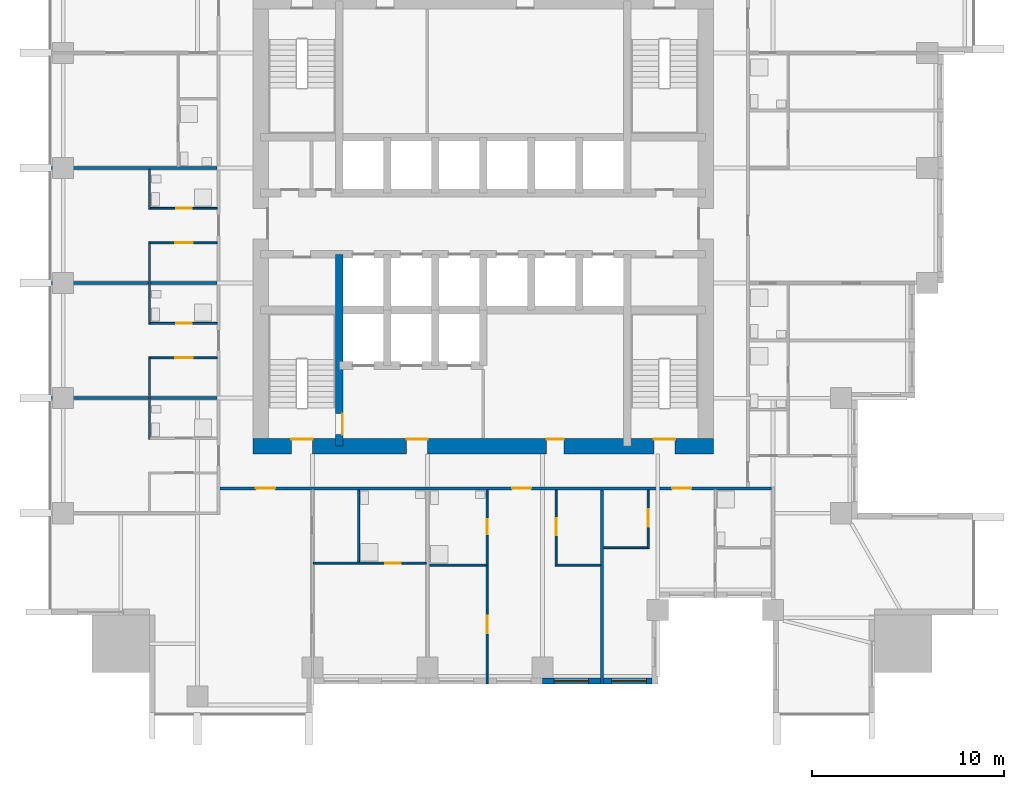
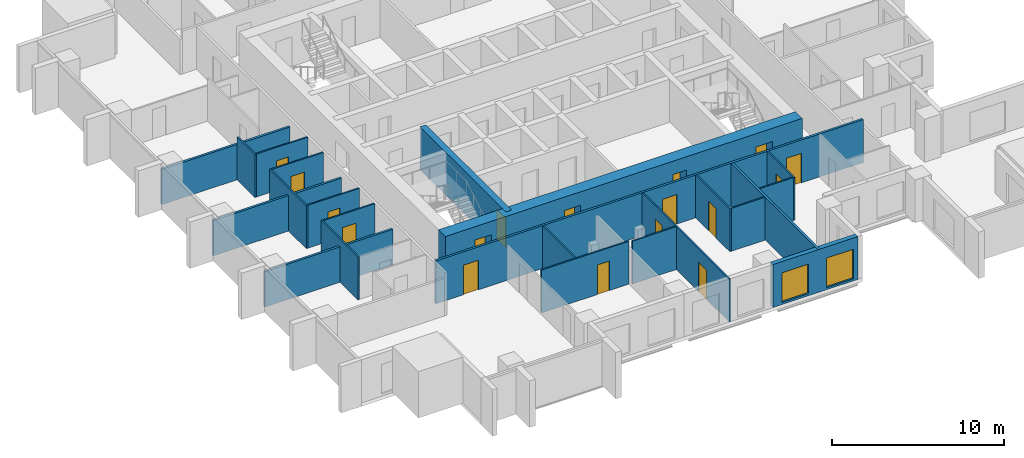
# One storey, part 4 of 10: 23 walls, 17 doors, 2 windows, 19 openings.
"""IFC4 building model written with IfcOpenShell, lengths in metres."""

from ifc_helpers import new_model, si_unit, direction, frame, frame_2d, origin, place, context, subcontext, project, spatial, rectangle, extrude, material, layer, layer_set, type_object, element, fill, save


model = new_model("IFC4")

# Units and contexts
model_context = context("Model", 3, precision=1e-05, world=origin(), true_north=direction((0.0, 1.0)))
body_context = subcontext(model_context, "Body", "Model", "MODEL_VIEW")
ifc_project = project(units=[si_unit("LENGTHUNIT", "METRE"), si_unit("AREAUNIT", "SQUARE_METRE"), si_unit("VOLUMEUNIT", "CUBIC_METRE"), si_unit("PLANEANGLEUNIT", "RADIAN"), si_unit("MASSUNIT", "GRAM", prefix="KILO")], contexts=[model_context])

# Site, building, storey
site_placement = place(None, origin())
site = spatial("IfcSite", under=ifc_project, at=site_placement, CompositionType="ELEMENT")
building_placement = place(site_placement, origin())
building = spatial("IfcBuilding", under=site, at=building_placement, Name="Amberfall Residences", CompositionType="ELEMENT")
storey_placement = place(building_placement, frame((0.0, 0.0, 101.800048828125)))
storey = spatial("IfcBuildingStorey", under=building, at=storey_placement, Name="L27", CompositionType="ELEMENT", Elevation=101.800048828125)

# Wall, openings, windows
ifc_material_1 = material(Name="Pale stone cladding on insulated backing", Category="masonry")
ifc_layer_1 = layer(ifc_material_1, 0.300048828125)
ifc_layer_set_1 = layer_set([ifc_layer_1], Name="Bronze clad wall 300")
wall_type_1 = type_object("IfcWallType", Name="Bronze clad wall 300", PredefinedType="SOLIDWALL", material=ifc_layer_set_1)
wall_1_placement = place(storey_placement, frame((77.60009765625, 21.64990234375, 0.0), z_axis=(0.0, 0.0, 1.0), x_axis=(1.0, 0.0, 0.0)))
wall_1 = element("IfcWall", 1, at=wall_1_placement, inside=storey, type_object=wall_type_1, Name="Stone wall L27 S", PredefinedType="SOLIDWALL", context=body_context, shape_type="SweptSolid", body=[
    extrude(rectangle(XDim=5.699951171875, YDim=0.300048828125, at=frame_2d((2.85009765625, 0.0))), origin(), (0.0, 0.0, 1.0), 3.050048828125),
])
opening_1_placement = place(wall_1_placement, frame((0.60009765625, 0.0, 0.14990234375)))
opening_1 = element("IfcOpeningElement", 2, at=opening_1_placement, cuts=wall_1, Name="Opening WN6", PredefinedType="OPENING", context=body_context, shape_type="SweptSolid", body=[
    extrude(rectangle(XDim=1.800048828125, YDim=2.10009765625, at=frame_2d((0.89990234375, 1.050048828125))), frame((0.0, 0.159912109375, 0.0), z_axis=(0.0, -1.0, 0.0), x_axis=(1.0, 0.0, 0.0)), (0.0, 0.0, 1.0), 0.320068359375),
])
opening_2_placement = place(wall_1_placement, frame((3.60009765625, 0.0, 0.14990234375)))
opening_2 = element("IfcOpeningElement", 3, at=opening_2_placement, cuts=wall_1, Name="Opening WN6", PredefinedType="OPENING", context=body_context, shape_type="SweptSolid", body=[
    extrude(rectangle(XDim=1.800048828125, YDim=2.10009765625, at=frame_2d((0.89990234375, 1.050048828125))), frame((0.0, 0.159912109375, 0.0), z_axis=(0.0, -1.0, 0.0), x_axis=(1.0, 0.0, 0.0)), (0.0, 0.0, 1.0), 0.320068359375),
])
ifc_material_2 = material(Name="Bronze aluminium framed glazing", Category="aluminium")
window_type = type_object("IfcWindowType", Name="Glazed opening 1800 x 2100 bronze", PartitioningType="DOUBLE_PANEL_VERTICAL", PredefinedType="WINDOW", material=ifc_material_2)
window_1_placement = place(opening_1_placement, origin())
window_1 = element("IfcWindow", 4, at=window_1_placement, inside=storey, type_object=window_type, Name="Window L27 S", OverallHeight=2.10009765625, OverallWidth=1.800048828125, PartitioningType="DOUBLE_PANEL_VERTICAL", PredefinedType="WINDOW", context=body_context, shape_type="SweptSolid", body=[
    extrude(rectangle(XDim=1.800048828125, YDim=2.10009765625, at=frame_2d((0.89990234375, 1.050048828125))), frame((0.0, 0.030029296875, 0.0), z_axis=(0.0, -1.0, 0.0), x_axis=(1.0, 0.0, 0.0)), (0.0, 0.0, 1.0), 0.06005859375),
])
fill(opening_1, window_1)
window_2_placement = place(opening_2_placement, origin())
window_2 = element("IfcWindow", 5, at=window_2_placement, inside=storey, type_object=window_type, Name="Window L27 S", OverallHeight=2.10009765625, OverallWidth=1.800048828125, PartitioningType="DOUBLE_PANEL_VERTICAL", PredefinedType="WINDOW", context=body_context, shape_type="SweptSolid", body=[
    extrude(rectangle(XDim=1.800048828125, YDim=2.10009765625, at=frame_2d((0.89990234375, 1.050048828125))), frame((0.0, 0.030029296875, 0.0), z_axis=(0.0, -1.0, 0.0), x_axis=(1.0, 0.0, 0.0)), (0.0, 0.0, 1.0), 0.06005859375),
])
fill(opening_2, window_2)

# Wall, opening, door
ifc_material_3 = material(Name="Concrete C70", Category="concrete")
ifc_layer_2 = layer(ifc_material_3, 0.39990234375)
ifc_layer_set_2 = layer_set([ifc_layer_2], Name="Core wall 400 C70")
wall_type_2 = type_object("IfcWallType", Name="Core wall 400 C70", PredefinedType="SHEAR", material=ifc_layer_set_2)
wall_2_placement = place(storey_placement, frame((67.0, 33.89990234375, 0.0), z_axis=(0.0, 0.0, 1.0), x_axis=(0.0, 1.0, 0.0)))
wall_2 = element("IfcWall", 6, at=wall_2_placement, inside=storey, type_object=wall_type_2, Name="Core wall RW4 L27 V45S", PredefinedType="SHEAR", context=body_context, shape_type="SweptSolid", body=[
    extrude(rectangle(XDim=10.0, YDim=0.39990234375, at=frame_2d((5.0, 0.0))), origin(), (0.0, 0.0, 1.0), 3.050048828125),
])
opening_3_placement = place(wall_2_placement, frame((0.60009765625, 0.0, 0.0)))
opening_3 = element("IfcOpeningElement", 7, at=opening_3_placement, cuts=wall_2, Name="Opening FL1", PredefinedType="OPENING", context=body_context, shape_type="SweptSolid", body=[
    extrude(rectangle(XDim=1.10009765625, YDim=2.10009765625, at=frame_2d((0.550048828125, 1.050048828125))), frame((0.0, 0.2099609375, 0.0), z_axis=(0.0, -1.0, 0.0), x_axis=(1.0, 0.0, 0.0)), (0.0, 0.0, 1.0), 0.419921875),
])
ifc_material_4 = material(Name="Steel fire door set", Category="steel")
door_type_1 = type_object("IfcDoorType", Name="Firefighting lobby door 1100 x 2100", OperationType="SINGLE_SWING_LEFT", PredefinedType="DOOR", material=ifc_material_4)
door_1_placement = place(opening_3_placement, origin())
door_1 = element("IfcDoor", 8, at=door_1_placement, inside=storey, type_object=door_type_1, Name="FL1 L27", OperationType="SINGLE_SWING_RIGHT", OverallHeight=2.10009765625, OverallWidth=1.10009765625, PredefinedType="DOOR", context=body_context, shape_type="SweptSolid", body=[
    extrude(rectangle(XDim=1.10009765625, YDim=2.10009765625, at=frame_2d((0.550048828125, 1.050048828125))), frame((0.0, -0.1376953125, 0.0), z_axis=(0.0, -1.0, 0.0), x_axis=(1.0, 0.0, 0.0)), (0.0, 0.0, 1.0), 0.050048828125),
])
fill(opening_3, door_1)

# Wall, openings, doors
ifc_layer_3 = layer(ifc_material_3, 0.800048828125)
ifc_layer_set_3 = layer_set([ifc_layer_3], Name="Core wall 800 C70")
wall_type_3 = type_object("IfcWallType", Name="Core wall 800 C70", PredefinedType="SHEAR", material=ifc_layer_set_3)
wall_3_placement = place(storey_placement, frame((62.5, 33.89990234375, 0.0), z_axis=(0.0, 0.0, 1.0), x_axis=(1.0, 0.0, 0.0)))
wall_3 = element("IfcWall", 9, at=wall_3_placement, inside=storey, type_object=wall_type_3, Name="Core wall RW3 L27 OS", PredefinedType="SHEAR", context=body_context, shape_type="SweptSolid", body=[
    extrude(rectangle(XDim=24.0, YDim=0.800048828125, at=frame_2d((12.0, 0.0))), origin(), (0.0, 0.0, 1.0), 3.050048828125),
])
opening_4_placement = place(wall_3_placement, frame((2.0, 0.0, 0.0)))
opening_4 = element("IfcOpeningElement", 10, at=opening_4_placement, cuts=wall_3, Name="Opening SD1", PredefinedType="OPENING", context=body_context, shape_type="SweptSolid", body=[
    extrude(rectangle(XDim=1.10009765625, YDim=2.10009765625, at=frame_2d((0.550048828125, 1.050048828125))), frame((0.0, 0.409912109375, 0.0), z_axis=(0.0, -1.0, 0.0), x_axis=(1.0, 0.0, 0.0)), (0.0, 0.0, 1.0), 0.820068359375),
])
opening_5_placement = place(wall_3_placement, frame((20.89990234375, 0.0, 0.0)))
opening_5 = element("IfcOpeningElement", 11, at=opening_5_placement, cuts=wall_3, Name="Opening SD1", PredefinedType="OPENING", context=body_context, shape_type="SweptSolid", body=[
    extrude(rectangle(XDim=1.10009765625, YDim=2.10009765625, at=frame_2d((0.550048828125, 1.050048828125))), frame((0.0, 0.409912109375, 0.0), z_axis=(0.0, -1.0, 0.0), x_axis=(1.0, 0.0, 0.0)), (0.0, 0.0, 1.0), 0.820068359375),
])
opening_6_placement = place(wall_3_placement, frame((8.0, 0.0, 0.0)))
opening_6 = element("IfcOpeningElement", 12, at=opening_6_placement, cuts=wall_3, Name="Opening FL1", PredefinedType="OPENING", context=body_context, shape_type="SweptSolid", body=[
    extrude(rectangle(XDim=1.10009765625, YDim=2.10009765625, at=frame_2d((0.550048828125, 1.050048828125))), frame((0.0, 0.409912109375, 0.0), z_axis=(0.0, -1.0, 0.0), x_axis=(1.0, 0.0, 0.0)), (0.0, 0.0, 1.0), 0.820068359375),
])
opening_7_placement = place(wall_3_placement, frame((15.300048828125, 0.0, 0.0)))
opening_7 = element("IfcOpeningElement", 13, at=opening_7_placement, cuts=wall_3, Name="Opening RD1", PredefinedType="OPENING", context=body_context, shape_type="SweptSolid", body=[
    extrude(rectangle(XDim=0.89990234375, YDim=2.10009765625, at=frame_2d((0.449951171875, 1.050048828125))), frame((0.0, 0.409912109375, 0.0), z_axis=(0.0, -1.0, 0.0), x_axis=(1.0, 0.0, 0.0)), (0.0, 0.0, 1.0), 0.820068359375),
])
door_2_placement = place(opening_6_placement, origin())
door_2 = element("IfcDoor", 14, at=door_2_placement, inside=storey, type_object=door_type_1, Name="FL1 L27", OperationType="SINGLE_SWING_LEFT", OverallHeight=2.10009765625, OverallWidth=1.10009765625, PredefinedType="DOOR", context=body_context, shape_type="SweptSolid", body=[
    extrude(rectangle(XDim=1.10009765625, YDim=2.10009765625, at=frame_2d((0.550048828125, 1.050048828125))), frame((0.0, 0.3876953125, 0.0), z_axis=(0.0, -1.0, 0.0), x_axis=(1.0, 0.0, 0.0)), (0.0, 0.0, 1.0), 0.050048828125),
])
fill(opening_6, door_2)
door_type_2 = type_object("IfcDoorType", Name="Service room door 900 x 2100", OperationType="SINGLE_SWING_LEFT", PredefinedType="DOOR", material=ifc_material_4)
door_3_placement = place(opening_7_placement, origin())
door_3 = element("IfcDoor", 15, at=door_3_placement, inside=storey, type_object=door_type_2, Name="RD1 L27", OperationType="SINGLE_SWING_LEFT", OverallHeight=2.10009765625, OverallWidth=0.89990234375, PredefinedType="DOOR", context=body_context, shape_type="SweptSolid", body=[
    extrude(rectangle(XDim=0.89990234375, YDim=2.10009765625, at=frame_2d((0.449951171875, 1.050048828125))), frame((0.0, 0.3876953125, 0.0), z_axis=(0.0, -1.0, 0.0), x_axis=(1.0, 0.0, 0.0)), (0.0, 0.0, 1.0), 0.050048828125),
])
fill(opening_7, door_3)
door_type_3 = type_object("IfcDoorType", Name="Stair door 1100 x 2100", OperationType="SINGLE_SWING_LEFT", PredefinedType="DOOR", material=ifc_material_4)
door_4_placement = place(opening_4_placement, origin())
door_4 = element("IfcDoor", 16, at=door_4_placement, inside=storey, type_object=door_type_3, Name="SD1 L27", OperationType="SINGLE_SWING_LEFT", OverallHeight=2.10009765625, OverallWidth=1.10009765625, PredefinedType="DOOR", context=body_context, shape_type="SweptSolid", body=[
    extrude(rectangle(XDim=1.10009765625, YDim=2.10009765625, at=frame_2d((0.550048828125, 1.050048828125))), frame((0.0, 0.3876953125, 0.0), z_axis=(0.0, -1.0, 0.0), x_axis=(1.0, 0.0, 0.0)), (0.0, 0.0, 1.0), 0.050048828125),
])
fill(opening_4, door_4)
door_5_placement = place(opening_5_placement, origin())
door_5 = element("IfcDoor", 17, at=door_5_placement, inside=storey, type_object=door_type_3, Name="SD1 L27", OperationType="SINGLE_SWING_RIGHT", OverallHeight=2.10009765625, OverallWidth=1.10009765625, PredefinedType="DOOR", context=body_context, shape_type="SweptSolid", body=[
    extrude(rectangle(XDim=1.10009765625, YDim=2.10009765625, at=frame_2d((0.550048828125, 1.050048828125))), frame((0.0, 0.3876953125, 0.0), z_axis=(0.0, -1.0, 0.0), x_axis=(1.0, 0.0, 0.0)), (0.0, 0.0, 1.0), 0.050048828125),
])
fill(opening_5, door_5)

# Walls
ifc_material_5 = material(Name="Gypsum board on metal stud")
ifc_layer_4 = layer(ifc_material_5, 0.10009765625)
ifc_layer_set_4 = layer_set([ifc_layer_4], Name="Flat partition 100")
wall_type_4 = type_object("IfcWallType", Name="Flat partition 100", PredefinedType="PARTITIONING", material=ifc_layer_set_4)
for number, where, z_axis, x_axis, name in (
    (18, (57.10009765625, 34.25, 0.0), (0.0, 0.0, 1.0), (0.0, 1.0, 0.0), "Partition 002"),
    (19, (57.10009765625, 40.25, 0.0), (0.0, 0.0, 1.0), (0.0, 1.0, 0.0), "Partition 003"),
):
    element("IfcWall", number, at=place(storey_placement, frame(where, z_axis=z_axis, x_axis=x_axis)), inside=storey, type_object=wall_type_4, Name=name, PredefinedType="PARTITIONING", context=body_context, shape_type="SweptSolid", body=[
        extrude(rectangle(XDim=4.300048828125, YDim=0.10009765625, at=frame_2d((2.14990234375, 0.0))), origin(), (0.0, 0.0, 1.0), 3.050048828125),
    ])
wall_4_placement = place(storey_placement, frame((57.10009765625, 46.25, 0.0), z_axis=(0.0, 0.0, 1.0), x_axis=(0.0, 1.0, 0.0)))
element("IfcWall", 20, at=wall_4_placement, inside=storey, type_object=wall_type_4, Name="Partition 004", PredefinedType="PARTITIONING", context=body_context, shape_type="SweptSolid", body=[
    extrude(rectangle(XDim=2.074951171875, YDim=0.10009765625, at=frame_2d((1.03759765625, 0.0))), origin(), (0.0, 0.0, 1.0), 3.050048828125),
])
wall_5_placement = place(storey_placement, frame((68.0, 27.85009765625, 0.0), z_axis=(0.0, 0.0, 1.0), x_axis=(0.0, 1.0, 0.0)))
element("IfcWall", 21, at=wall_5_placement, inside=storey, type_object=wall_type_4, Name="Partition 009", PredefinedType="PARTITIONING", context=body_context, shape_type="SweptSolid", body=[
    extrude(rectangle(XDim=3.77490234375, YDim=0.10009765625, at=frame_2d((1.887451171875, 0.0))), origin(), (0.0, 0.0, 1.0), 3.050048828125),
])

# Wall, openings, doors
wall_6_placement = place(storey_placement, frame((74.699951171875, 21.5, 0.0), z_axis=(0.0, 0.0, 1.0), x_axis=(0.0, 1.0, 0.0)))
wall_6 = element("IfcWall", 22, at=wall_6_placement, inside=storey, type_object=wall_type_4, Name="Partition 012", PredefinedType="PARTITIONING", context=body_context, shape_type="SweptSolid", body=[
    extrude(rectangle(XDim=10.125, YDim=0.10009765625, at=frame_2d((5.0625, 0.0))), origin(), (0.0, 0.0, 1.0), 3.050048828125),
])
opening_8_placement = place(wall_6_placement, frame((2.64990234375, 0.0, 0.0)))
opening_8 = element("IfcOpeningElement", 23, at=opening_8_placement, cuts=wall_6, Name="Opening D41", PredefinedType="OPENING", context=body_context, shape_type="SweptSolid", body=[
    extrude(rectangle(XDim=0.89990234375, YDim=2.10009765625, at=frame_2d((0.449951171875, 1.050048828125))), frame((0.0, 0.06005859375, 0.0), z_axis=(0.0, -1.0, 0.0), x_axis=(1.0, 0.0, 0.0)), (0.0, 0.0, 1.0), 0.1201171875),
])
opening_9_placement = place(wall_6_placement, frame((7.800048828125, 0.0, 0.0)))
opening_9 = element("IfcOpeningElement", 24, at=opening_9_placement, cuts=wall_6, Name="Opening D42", PredefinedType="OPENING", context=body_context, shape_type="SweptSolid", body=[
    extrude(rectangle(XDim=0.800048828125, YDim=2.10009765625, at=frame_2d((0.39990234375, 1.050048828125))), frame((0.0, 0.06005859375, 0.0), z_axis=(0.0, -1.0, 0.0), x_axis=(1.0, 0.0, 0.0)), (0.0, 0.0, 1.0), 0.1201171875),
])
ifc_material_6 = material(Name="Timber", Category="wood")
door_type_4 = type_object("IfcDoorType", Name="Bathroom door 800 x 2100", OperationType="SINGLE_SWING_LEFT", PredefinedType="DOOR", material=ifc_material_6)
door_6_placement = place(opening_9_placement, origin())
door_6 = element("IfcDoor", 25, at=door_6_placement, inside=storey, type_object=door_type_4, Name="Door 2702 bath1", OperationType="SINGLE_SWING_LEFT", OverallHeight=2.10009765625, OverallWidth=0.800048828125, PredefinedType="DOOR", context=body_context, shape_type="SweptSolid", body=[
    extrude(rectangle(XDim=0.800048828125, YDim=2.10009765625, at=frame_2d((0.39990234375, 1.050048828125))), frame((0.0, 0.02490234375, 0.0), z_axis=(0.0, -1.0, 0.0), x_axis=(1.0, 0.0, 0.0)), (0.0, 0.0, 1.0), 0.050048828125),
])
fill(opening_9, door_6)
door_type_5 = type_object("IfcDoorType", Name="Internal door 900 x 2100", OperationType="SINGLE_SWING_LEFT", PredefinedType="DOOR", material=ifc_material_6)
door_7_placement = place(opening_8_placement, origin())
door_7 = element("IfcDoor", 26, at=door_7_placement, inside=storey, type_object=door_type_5, Name="Door 2702 bedroom1", OperationType="SINGLE_SWING_LEFT", OverallHeight=2.10009765625, OverallWidth=0.89990234375, PredefinedType="DOOR", context=body_context, shape_type="SweptSolid", body=[
    extrude(rectangle(XDim=0.89990234375, YDim=2.10009765625, at=frame_2d((0.449951171875, 1.050048828125))), frame((0.0, 0.02490234375, 0.0), z_axis=(0.0, -1.0, 0.0), x_axis=(1.0, 0.0, 0.0)), (0.0, 0.0, 1.0), 0.050048828125),
])
fill(opening_8, door_7)

# Wall, opening, door
wall_7_placement = place(storey_placement, frame((78.300048828125, 31.625, 0.0), z_axis=(0.0, 0.0, 1.0), x_axis=(0.0, -1.0, 0.0)))
wall_7 = element("IfcWall", 27, at=wall_7_placement, inside=storey, type_object=wall_type_4, Name="Partition 014", PredefinedType="PARTITIONING", context=body_context, shape_type="SweptSolid", body=[
    extrude(rectangle(XDim=3.97509765625, YDim=0.10009765625, at=frame_2d((1.987548828125, 0.0))), origin(), (0.0, 0.0, 1.0), 3.050048828125),
])
opening_10_placement = place(wall_7_placement, frame((1.47509765625, 0.0, 0.0)))
opening_10 = element("IfcOpeningElement", 28, at=opening_10_placement, cuts=wall_7, Name="Opening D41", PredefinedType="OPENING", context=body_context, shape_type="SweptSolid", body=[
    extrude(rectangle(XDim=0.89990234375, YDim=2.10009765625, at=frame_2d((0.449951171875, 1.050048828125))), frame((0.0, 0.06005859375, 0.0), z_axis=(0.0, -1.0, 0.0), x_axis=(1.0, 0.0, 0.0)), (0.0, 0.0, 1.0), 0.1201171875),
])
door_8_placement = place(opening_10_placement, origin())
door_8 = element("IfcDoor", 29, at=door_8_placement, inside=storey, type_object=door_type_5, Name="Door 2702 kitchen", OperationType="SINGLE_SWING_LEFT", OverallHeight=2.10009765625, OverallWidth=0.89990234375, PredefinedType="DOOR", context=body_context, shape_type="SweptSolid", body=[
    extrude(rectangle(XDim=0.89990234375, YDim=2.10009765625, at=frame_2d((0.449951171875, 1.050048828125))), frame((0.0, 0.02490234375, 0.0), z_axis=(0.0, -1.0, 0.0), x_axis=(1.0, 0.0, 0.0)), (0.0, 0.0, 1.0), 0.050048828125),
])
fill(opening_10, door_8)

wall_8_placement = place(storey_placement, frame((83.10009765625, 28.550048828125, 0.0), z_axis=(0.0, 0.0, 1.0), x_axis=(0.0, 1.0, 0.0)))
wall_8 = element("IfcWall", 30, at=wall_8_placement, inside=storey, type_object=wall_type_4, Name="Partition 016", PredefinedType="PARTITIONING", context=body_context, shape_type="SweptSolid", body=[
    extrude(rectangle(XDim=3.074951171875, YDim=0.10009765625, at=frame_2d((1.53759765625, 0.0))), origin(), (0.0, 0.0, 1.0), 3.050048828125),
])
opening_11_placement = place(wall_8_placement, frame((1.14990234375, 0.0, 0.0)))
opening_11 = element("IfcOpeningElement", 31, at=opening_11_placement, cuts=wall_8, Name="Opening D41", PredefinedType="OPENING", context=body_context, shape_type="SweptSolid", body=[
    extrude(rectangle(XDim=0.89990234375, YDim=2.10009765625, at=frame_2d((0.449951171875, 1.050048828125))), frame((0.0, 0.06005859375, 0.0), z_axis=(0.0, -1.0, 0.0), x_axis=(1.0, 0.0, 0.0)), (0.0, 0.0, 1.0), 0.1201171875),
])
door_9_placement = place(opening_11_placement, origin())
door_9 = element("IfcDoor", 32, at=door_9_placement, inside=storey, type_object=door_type_5, Name="Door 2703 kitchen", OperationType="SINGLE_SWING_LEFT", OverallHeight=2.10009765625, OverallWidth=0.89990234375, PredefinedType="DOOR", context=body_context, shape_type="SweptSolid", body=[
    extrude(rectangle(XDim=0.89990234375, YDim=2.10009765625, at=frame_2d((0.449951171875, 1.050048828125))), frame((0.0, 0.02490234375, 0.0), z_axis=(0.0, -1.0, 0.0), x_axis=(1.0, 0.0, 0.0)), (0.0, 0.0, 1.0), 0.050048828125),
])
fill(opening_11, door_9)

wall_9_placement = place(storey_placement, frame((57.14990234375, 46.300048828125, 0.0), z_axis=(0.0, 0.0, 1.0), x_axis=(1.0, 0.0, 0.0)))
wall_9 = element("IfcWall", 33, at=wall_9_placement, inside=storey, type_object=wall_type_4, Name="Partition 032", PredefinedType="PARTITIONING", context=body_context, shape_type="SweptSolid", body=[
    extrude(rectangle(XDim=3.47509765625, YDim=0.10009765625, at=frame_2d((1.737548828125, 0.0))), origin(), (0.0, 0.0, 1.0), 3.050048828125),
])
opening_12_placement = place(wall_9_placement, frame((1.35009765625, 0.0, 0.0)))
opening_12 = element("IfcOpeningElement", 34, at=opening_12_placement, cuts=wall_9, Name="Opening D42", PredefinedType="OPENING", context=body_context, shape_type="SweptSolid", body=[
    extrude(rectangle(XDim=0.800048828125, YDim=2.10009765625, at=frame_2d((0.39990234375, 1.050048828125))), frame((0.0, 0.06005859375, 0.0), z_axis=(0.0, -1.0, 0.0), x_axis=(1.0, 0.0, 0.0)), (0.0, 0.0, 1.0), 0.1201171875),
])
door_10_placement = place(opening_12_placement, origin())
door_10 = element("IfcDoor", 35, at=door_10_placement, inside=storey, type_object=door_type_4, Name="Door 2712 bath1", OperationType="SINGLE_SWING_LEFT", OverallHeight=2.10009765625, OverallWidth=0.800048828125, PredefinedType="DOOR", context=body_context, shape_type="SweptSolid", body=[
    extrude(rectangle(XDim=0.800048828125, YDim=2.10009765625, at=frame_2d((0.39990234375, 1.050048828125))), frame((0.0, 0.02490234375, 0.0), z_axis=(0.0, -1.0, 0.0), x_axis=(1.0, 0.0, 0.0)), (0.0, 0.0, 1.0), 0.050048828125),
])
fill(opening_12, door_10)

wall_10_placement = place(storey_placement, frame((60.625, 44.5, 0.0), z_axis=(0.0, 0.0, 1.0), x_axis=(-1.0, 0.0, 0.0)))
wall_10 = element("IfcWall", 36, at=wall_10_placement, inside=storey, type_object=wall_type_4, Name="Partition 033", PredefinedType="PARTITIONING", context=body_context, shape_type="SweptSolid", body=[
    extrude(rectangle(XDim=3.47509765625, YDim=0.10009765625, at=frame_2d((1.737548828125, 0.0))), origin(), (0.0, 0.0, 1.0), 3.050048828125),
])
opening_13_placement = place(wall_10_placement, frame((1.27490234375, 0.0, 0.0)))
opening_13 = element("IfcOpeningElement", 37, at=opening_13_placement, cuts=wall_10, Name="Opening D41", PredefinedType="OPENING", context=body_context, shape_type="SweptSolid", body=[
    extrude(rectangle(XDim=0.89990234375, YDim=2.10009765625, at=frame_2d((0.449951171875, 1.050048828125))), frame((0.0, 0.06005859375, 0.0), z_axis=(0.0, -1.0, 0.0), x_axis=(1.0, 0.0, 0.0)), (0.0, 0.0, 1.0), 0.1201171875),
])
door_11_placement = place(opening_13_placement, origin())
door_11 = element("IfcDoor", 38, at=door_11_placement, inside=storey, type_object=door_type_5, Name="Door 2712 kitchen", OperationType="SINGLE_SWING_LEFT", OverallHeight=2.10009765625, OverallWidth=0.89990234375, PredefinedType="DOOR", context=body_context, shape_type="SweptSolid", body=[
    extrude(rectangle(XDim=0.89990234375, YDim=2.10009765625, at=frame_2d((0.449951171875, 1.050048828125))), frame((0.0, 0.02490234375, 0.0), z_axis=(0.0, -1.0, 0.0), x_axis=(1.0, 0.0, 0.0)), (0.0, 0.0, 1.0), 0.050048828125),
])
fill(opening_13, door_11)

wall_11_placement = place(storey_placement, frame((57.14990234375, 40.300048828125, 0.0), z_axis=(0.0, 0.0, 1.0), x_axis=(1.0, 0.0, 0.0)))
wall_11 = element("IfcWall", 39, at=wall_11_placement, inside=storey, type_object=wall_type_4, Name="Partition 035", PredefinedType="PARTITIONING", context=body_context, shape_type="SweptSolid", body=[
    extrude(rectangle(XDim=3.47509765625, YDim=0.10009765625, at=frame_2d((1.737548828125, 0.0))), origin(), (0.0, 0.0, 1.0), 3.050048828125),
])
opening_14_placement = place(wall_11_placement, frame((1.35009765625, 0.0, 0.0)))
opening_14 = element("IfcOpeningElement", 40, at=opening_14_placement, cuts=wall_11, Name="Opening D42", PredefinedType="OPENING", context=body_context, shape_type="SweptSolid", body=[
    extrude(rectangle(XDim=0.800048828125, YDim=2.10009765625, at=frame_2d((0.39990234375, 1.050048828125))), frame((0.0, 0.06005859375, 0.0), z_axis=(0.0, -1.0, 0.0), x_axis=(1.0, 0.0, 0.0)), (0.0, 0.0, 1.0), 0.1201171875),
])
door_12_placement = place(opening_14_placement, origin())
door_12 = element("IfcDoor", 41, at=door_12_placement, inside=storey, type_object=door_type_4, Name="Door 2711 bath1", OperationType="SINGLE_SWING_LEFT", OverallHeight=2.10009765625, OverallWidth=0.800048828125, PredefinedType="DOOR", context=body_context, shape_type="SweptSolid", body=[
    extrude(rectangle(XDim=0.800048828125, YDim=2.10009765625, at=frame_2d((0.39990234375, 1.050048828125))), frame((0.0, 0.02490234375, 0.0), z_axis=(0.0, -1.0, 0.0), x_axis=(1.0, 0.0, 0.0)), (0.0, 0.0, 1.0), 0.050048828125),
])
fill(opening_14, door_12)

wall_12_placement = place(storey_placement, frame((60.625, 38.5, 0.0), z_axis=(0.0, 0.0, 1.0), x_axis=(-1.0, 0.0, 0.0)))
wall_12 = element("IfcWall", 42, at=wall_12_placement, inside=storey, type_object=wall_type_4, Name="Partition 036", PredefinedType="PARTITIONING", context=body_context, shape_type="SweptSolid", body=[
    extrude(rectangle(XDim=3.47509765625, YDim=0.10009765625, at=frame_2d((1.737548828125, 0.0))), origin(), (0.0, 0.0, 1.0), 3.050048828125),
])
opening_15_placement = place(wall_12_placement, frame((1.27490234375, 0.0, 0.0)))
opening_15 = element("IfcOpeningElement", 43, at=opening_15_placement, cuts=wall_12, Name="Opening D41", PredefinedType="OPENING", context=body_context, shape_type="SweptSolid", body=[
    extrude(rectangle(XDim=0.89990234375, YDim=2.10009765625, at=frame_2d((0.449951171875, 1.050048828125))), frame((0.0, 0.06005859375, 0.0), z_axis=(0.0, -1.0, 0.0), x_axis=(1.0, 0.0, 0.0)), (0.0, 0.0, 1.0), 0.1201171875),
])
door_13_placement = place(opening_15_placement, origin())
door_13 = element("IfcDoor", 44, at=door_13_placement, inside=storey, type_object=door_type_5, Name="Door 2711 kitchen", OperationType="SINGLE_SWING_LEFT", OverallHeight=2.10009765625, OverallWidth=0.89990234375, PredefinedType="DOOR", context=body_context, shape_type="SweptSolid", body=[
    extrude(rectangle(XDim=0.89990234375, YDim=2.10009765625, at=frame_2d((0.449951171875, 1.050048828125))), frame((0.0, 0.02490234375, 0.0), z_axis=(0.0, -1.0, 0.0), x_axis=(1.0, 0.0, 0.0)), (0.0, 0.0, 1.0), 0.050048828125),
])
fill(opening_15, door_13)

# Wall
wall_13_placement = place(storey_placement, frame((80.77490234375, 28.60009765625, 0.0), z_axis=(0.0, 0.0, 1.0), x_axis=(1.0, 0.0, 0.0)))
element("IfcWall", 45, at=wall_13_placement, inside=storey, type_object=wall_type_4, Name="Partition 041", PredefinedType="PARTITIONING", context=body_context, shape_type="SweptSolid", body=[
    extrude(rectangle(XDim=2.275146484375, YDim=0.10009765625, at=frame_2d((1.1376953125, 0.0))), origin(), (0.0, 0.0, 1.0), 3.050048828125),
])

# Wall, opening, door
wall_14_placement = place(storey_placement, frame((65.64990234375, 27.800048828125, 0.0), z_axis=(0.0, 0.0, 1.0), x_axis=(1.0, 0.0, 0.0)))
wall_14 = element("IfcWall", 46, at=wall_14_placement, inside=storey, type_object=wall_type_4, Name="Partition 043", PredefinedType="PARTITIONING", context=body_context, shape_type="SweptSolid", body=[
    extrude(rectangle(XDim=5.875, YDim=0.10009765625, at=frame_2d((2.9375, 0.0))), origin(), (0.0, 0.0, 1.0), 3.050048828125),
])
opening_16_placement = place(wall_14_placement, frame((3.75, 0.0, 0.0)))
opening_16 = element("IfcOpeningElement", 47, at=opening_16_placement, cuts=wall_14, Name="Opening D42", PredefinedType="OPENING", context=body_context, shape_type="SweptSolid", body=[
    extrude(rectangle(XDim=0.800048828125, YDim=2.10009765625, at=frame_2d((0.39990234375, 1.050048828125))), frame((0.0, 0.06005859375, 0.0), z_axis=(0.0, -1.0, 0.0), x_axis=(1.0, 0.0, 0.0)), (0.0, 0.0, 1.0), 0.1201171875),
])
door_14_placement = place(opening_16_placement, origin())
door_14 = element("IfcDoor", 48, at=door_14_placement, inside=storey, type_object=door_type_4, Name="Door 2701 bath1", OperationType="SINGLE_SWING_LEFT", OverallHeight=2.10009765625, OverallWidth=0.800048828125, PredefinedType="DOOR", context=body_context, shape_type="SweptSolid", body=[
    extrude(rectangle(XDim=0.800048828125, YDim=2.10009765625, at=frame_2d((0.39990234375, 1.050048828125))), frame((0.0, 0.02490234375, 0.0), z_axis=(0.0, -1.0, 0.0), x_axis=(1.0, 0.0, 0.0)), (0.0, 0.0, 1.0), 0.050048828125),
])
fill(opening_16, door_14)

# Walls
wall_15_placement = place(storey_placement, frame((71.699951171875, 27.699951171875, 0.0), z_axis=(0.0, 0.0, 1.0), x_axis=(1.0, 0.0, 0.0)))
element("IfcWall", 49, at=wall_15_placement, inside=storey, type_object=wall_type_4, Name="Partition 044", PredefinedType="PARTITIONING", context=body_context, shape_type="SweptSolid", body=[
    extrude(rectangle(XDim=2.949951171875, YDim=0.10009765625, at=frame_2d((1.47509765625, 0.0))), origin(), (0.0, 0.0, 1.0), 3.050048828125),
])
wall_16_placement = place(storey_placement, frame((78.35009765625, 27.699951171875, 0.0), z_axis=(0.0, 0.0, 1.0), x_axis=(1.0, 0.0, 0.0)))
element("IfcWall", 50, at=wall_16_placement, inside=storey, type_object=wall_type_4, Name="Partition 045", PredefinedType="PARTITIONING", context=body_context, shape_type="SweptSolid", body=[
    extrude(rectangle(XDim=2.27490234375, YDim=0.10009765625, at=frame_2d((1.137451171875, 0.0))), origin(), (0.0, 0.0, 1.0), 3.050048828125),
])
ifc_material_7 = material(Name="Blockwork, plastered", Category="masonry")
ifc_layer_5 = layer(ifc_material_7, 0.14990234375)
ifc_layer_set_5 = layer_set([ifc_layer_5], Name="Flat separating wall 150")
wall_type_5 = type_object("IfcWallType", Name="Flat separating wall 150", PredefinedType="PARTITIONING", material=ifc_layer_set_5)
wall_17_placement = place(storey_placement, frame((80.699951171875, 21.5, 0.0), z_axis=(0.0, 0.0, 1.0), x_axis=(0.0, 1.0, 0.0)))
element("IfcWall", 51, at=wall_17_placement, inside=storey, type_object=wall_type_5, Name="Separating wall 051", PredefinedType="PARTITIONING", context=body_context, shape_type="SweptSolid", body=[
    extrude(rectangle(XDim=10.125, YDim=0.14990234375, at=frame_2d((5.0625, 0.0))), origin(), (0.0, 0.0, 1.0), 3.050048828125),
])
for number, where, z_axis, x_axis, name in (
    (52, (52.0, 48.39990234375, 0.0), (0.0, 0.0, 1.0), (1.0, 0.0, 0.0), "Separating wall 057"),
    (53, (52.0, 42.39990234375, 0.0), (0.0, 0.0, 1.0), (1.0, 0.0, 0.0), "Separating wall 058"),
    (54, (52.0, 36.39990234375, 0.0), (0.0, 0.0, 1.0), (1.0, 0.0, 0.0), "Separating wall 060"),
):
    element("IfcWall", number, at=place(storey_placement, frame(where, z_axis=z_axis, x_axis=x_axis)), inside=storey, type_object=wall_type_5, Name=name, PredefinedType="PARTITIONING", context=body_context, shape_type="SweptSolid", body=[
        extrude(rectangle(XDim=8.625, YDim=0.14990234375, at=frame_2d((4.3125, 0.0))), origin(), (0.0, 0.0, 1.0), 2.515869140625),
    ])

# Wall, openings, doors
wall_18_placement = place(storey_placement, frame((89.52490234375, 31.699951171875, 0.0), z_axis=(0.0, 0.0, 1.0), x_axis=(-1.0, 0.0, 0.0)))
wall_18 = element("IfcWall", 55, at=wall_18_placement, inside=storey, type_object=wall_type_5, Name="Separating wall 061", PredefinedType="PARTITIONING", context=body_context, shape_type="SweptSolid", body=[
    extrude(rectangle(XDim=28.75, YDim=0.14990234375, at=frame_2d((14.375, 0.0))), origin(), (0.0, 0.0, 1.0), 3.050048828125),
])
opening_17_placement = place(wall_18_placement, frame((25.875, 0.0, 0.0)))
opening_17 = element("IfcOpeningElement", 56, at=opening_17_placement, cuts=wall_18, Name="Opening D40", PredefinedType="OPENING", context=body_context, shape_type="SweptSolid", body=[
    extrude(rectangle(XDim=1.0, YDim=2.10009765625, at=frame_2d((0.5, 1.050048828125))), frame((0.0, 0.0849609375, 0.0), z_axis=(0.0, -1.0, 0.0), x_axis=(1.0, 0.0, 0.0)), (0.0, 0.0, 1.0), 0.169921875),
])
opening_18_placement = place(wall_18_placement, frame((12.52490234375, 0.0, 0.0)))
opening_18 = element("IfcOpeningElement", 57, at=opening_18_placement, cuts=wall_18, Name="Opening D40", PredefinedType="OPENING", context=body_context, shape_type="SweptSolid", body=[
    extrude(rectangle(XDim=1.0, YDim=2.10009765625, at=frame_2d((0.5, 1.050048828125))), frame((0.0, 0.0849609375, 0.0), z_axis=(0.0, -1.0, 0.0), x_axis=(1.0, 0.0, 0.0)), (0.0, 0.0, 1.0), 0.169921875),
])
opening_19_placement = place(wall_18_placement, frame((4.175048828125, 0.0, 0.0)))
opening_19 = element("IfcOpeningElement", 58, at=opening_19_placement, cuts=wall_18, Name="Opening D40", PredefinedType="OPENING", context=body_context, shape_type="SweptSolid", body=[
    extrude(rectangle(XDim=1.0, YDim=2.10009765625, at=frame_2d((0.5, 1.050048828125))), frame((0.0, 0.0849609375, 0.0), z_axis=(0.0, -1.0, 0.0), x_axis=(1.0, 0.0, 0.0)), (0.0, 0.0, 1.0), 0.169921875),
])
ifc_material_8 = material(Name="Timber, fire-rated", Category="wood")
door_type_6 = type_object("IfcDoorType", Name="Flat entrance door FD60 1000 x 2100", OperationType="SINGLE_SWING_LEFT", PredefinedType="DOOR", material=ifc_material_8)
door_15_placement = place(opening_17_placement, origin())
door_15 = element("IfcDoor", 59, at=door_15_placement, inside=storey, type_object=door_type_6, Name="Door 2701 entrance", OperationType="SINGLE_SWING_LEFT", OverallHeight=2.10009765625, OverallWidth=1.0, PredefinedType="DOOR", context=body_context, shape_type="SweptSolid", body=[
    extrude(rectangle(XDim=1.0, YDim=2.10009765625, at=frame_2d((0.5, 1.050048828125))), frame((0.0, 0.02490234375, 0.0), z_axis=(0.0, -1.0, 0.0), x_axis=(1.0, 0.0, 0.0)), (0.0, 0.0, 1.0), 0.050048828125),
])
fill(opening_17, door_15)
door_16_placement = place(opening_18_placement, origin())
door_16 = element("IfcDoor", 60, at=door_16_placement, inside=storey, type_object=door_type_6, Name="Door 2702 entrance", OperationType="SINGLE_SWING_LEFT", OverallHeight=2.10009765625, OverallWidth=1.0, PredefinedType="DOOR", context=body_context, shape_type="SweptSolid", body=[
    extrude(rectangle(XDim=1.0, YDim=2.10009765625, at=frame_2d((0.5, 1.050048828125))), frame((0.0, 0.02490234375, 0.0), z_axis=(0.0, -1.0, 0.0), x_axis=(1.0, 0.0, 0.0)), (0.0, 0.0, 1.0), 0.050048828125),
])
fill(opening_18, door_16)
door_17_placement = place(opening_19_placement, origin())
door_17 = element("IfcDoor", 61, at=door_17_placement, inside=storey, type_object=door_type_6, Name="Door 2703 entrance", OperationType="SINGLE_SWING_LEFT", OverallHeight=2.10009765625, OverallWidth=1.0, PredefinedType="DOOR", context=body_context, shape_type="SweptSolid", body=[
    extrude(rectangle(XDim=1.0, YDim=2.10009765625, at=frame_2d((0.5, 1.050048828125))), frame((0.0, 0.02490234375, 0.0), z_axis=(0.0, -1.0, 0.0), x_axis=(1.0, 0.0, 0.0)), (0.0, 0.0, 1.0), 0.050048828125),
])
fill(opening_19, door_17)

save(model, "model.ifc")
